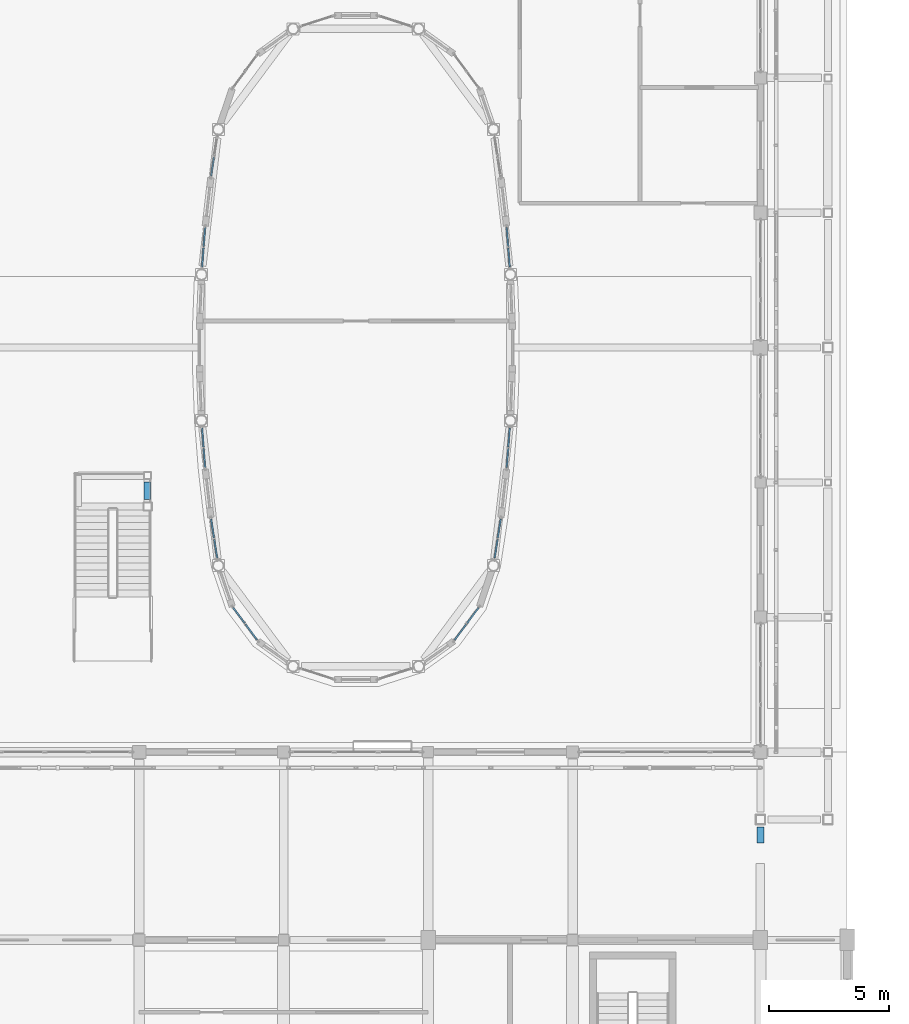
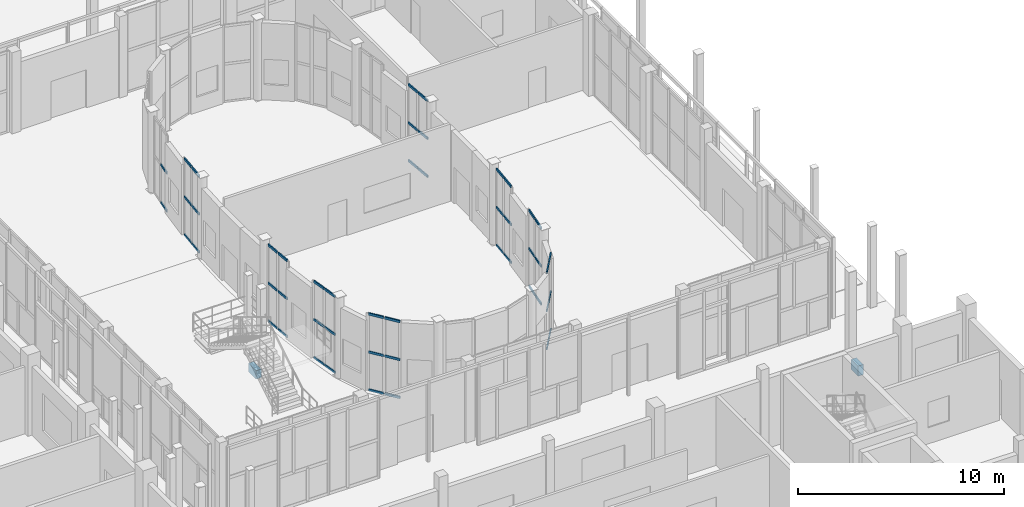
# One storey, part 53 of 91: 50 members, 2 beams, 9 elements without a shape of their own.
"""IFC4 building model written with IfcOpenShell, lengths in metres."""

from ifc_helpers import new_model, si_unit, direction, frame, origin, origin_2d, place, context, subcontext, project, spatial, rectangle, hollow_rectangle, extrude, material, layer, layer_set, material_profile, profile_set, type_object, element, aggregate, save


model = new_model("IFC4")

# Units and contexts
model_context = context("Model", 3, precision=1e-05, world=origin(), true_north=direction((0.0, 1.0)))
body_context = subcontext(model_context, "Body", "Model", "MODEL_VIEW")
ifc_project = project(units=[si_unit("LENGTHUNIT", "METRE"), si_unit("AREAUNIT", "SQUARE_METRE"), si_unit("VOLUMEUNIT", "CUBIC_METRE"), si_unit("PLANEANGLEUNIT", "RADIAN"), si_unit("MASSUNIT", "GRAM", prefix="KILO")], contexts=[model_context])

# Site, building, storey
site_placement = place(None, origin())
site = spatial("IfcSite", under=ifc_project, at=site_placement, CompositionType="ELEMENT")
building_placement = place(site_placement, origin())
building = spatial("IfcBuilding", under=site, at=building_placement, Name="Vinh Khe Railworks Police Headquarters", CompositionType="ELEMENT")
storey_placement = place(building_placement, origin())
storey = spatial("IfcBuildingStorey", under=building, at=storey_placement, Name="L00", CompositionType="ELEMENT", Elevation=0.0)

# Beams
ifc_material_1 = material(Name="Concrete C35/45 (B35)", Category="concrete")
ifc_material_profile_1 = material_profile(ifc_material_1, rectangle(XDim=0.300048828125, YDim=0.5, at=origin_2d()), Name="RC 300x500")
ifc_profile_set_1 = profile_set([ifc_material_profile_1], Name="Concrete C35/45 (B35)")
beam_type_1 = type_object("IfcBeamType", Name="RC Girder RC 300x500", PredefinedType="BEAM", material=ifc_profile_set_1)
beam_1_placement = place(storey_placement, frame((34.550048828125, 35.679931640625, -0.530029296875), z_axis=(0.0, 1.0, 0.0), x_axis=(-1.0, 0.0, 0.0)))
element("IfcBeam", 1, at=beam_1_placement, inside=storey, type_object=beam_type_1, Name="Girder BM-L00-NS-RB-10-0294", PredefinedType="BEAM", context=body_context, shape_type="SweptSolid", body=[
    extrude(rectangle(XDim=0.300048828125, YDim=0.5, at=origin_2d()), origin(), (0.0, 0.0, 1.0), 0.7451171875),
])
ifc_material_profile_2 = material_profile(ifc_material_1, rectangle(XDim=0.300048828125, YDim=0.60009765625, at=origin_2d()), Name="RC 300x600")
ifc_profile_set_2 = profile_set([ifc_material_profile_2], Name="Concrete C35/45 (B35)")
beam_type_2 = type_object("IfcBeamType", Name="RC Girder RC 300x600", PredefinedType="BEAM", material=ifc_profile_set_2)
beam_2_placement = place(storey_placement, frame((60.0, 21.429931640625, -0.580078125), z_axis=(0.0, 1.0, 0.0), x_axis=(-1.0, 0.0, 0.0)))
element("IfcBeam", 2, at=beam_2_placement, inside=storey, type_object=beam_type_2, Name="Girder BM-L00-NS-RB-09-0320", PredefinedType="BEAM", context=body_context, shape_type="SweptSolid", body=[
    extrude(rectangle(XDim=0.300048828125, YDim=0.60009765625, at=origin_2d()), origin(), (0.0, 0.0, 1.0), 0.6650390625),
])

# Curtain wall, members
ifc_material_2 = material(Name="Anodised aluminium and acoustic laminated glass", Category="aluminium")
ifc_layer = layer(ifc_material_2, 0.159912109375)
ifc_layer_set = layer_set([ifc_layer], Name="Anodised aluminium and acoustic laminated glass")
curtain_wall_type = type_object("IfcCurtainWallType", Name="CW-DRUM-CHORD", PredefinedType="USERDEFINED", material=ifc_layer_set)
curtain_wall_1_placement = place(storey_placement, origin())
curtain_wall_1 = element("IfcCurtainWall", 3, at=curtain_wall_1_placement, inside=storey, type_object=curtain_wall_type, Name="Elliptical Command Drum Glazing L00 Chord 1", ObjectType="DRUM FACADE GLAZING", PredefinedType="USERDEFINED")
ifc_material_3 = material(Name="Anodised aluminium 6063-T6", Category="aluminium")
ifc_material_profile_3 = material_profile(ifc_material_3, hollow_rectangle(XDim=0.06494140625, YDim=0.139892578125, WallThickness=0.00390625, at=origin_2d()), Name="CW-T 65x140x4")
ifc_profile_set_3 = profile_set([ifc_material_profile_3], Name="Anodised aluminium 6063-T6")
member_type = type_object("IfcMemberType", Name="TRAN-CWT-02", PredefinedType="USERDEFINED", material=ifc_profile_set_3)
member_1_placement = place(storey_placement, frame((48.961181640625, 33.25390625, 0.032470703125), z_axis=(0.153405021889, 0.988163397045, 0.0), x_axis=(-0.988163397045, 0.153405021889, 0.0)))
member_1 = element("IfcMember", 4, at=member_1_placement, type_object=member_type, Name="CW-02 transom 1.1", ObjectType="TRANSOM", PredefinedType="USERDEFINED", context=body_context, shape_type="SweptSolid", body=[
    extrude(hollow_rectangle(XDim=0.06494140625, YDim=0.139892578125, WallThickness=0.00390625, at=origin_2d()), origin(), (0.0, 0.0, 1.0), 0.789306640625),
])
member_2_placement = place(storey_placement, frame((48.961181640625, 33.25390625, 2.27490234375), z_axis=(0.153405021889, 0.988163397045, 0.0), x_axis=(-0.988163397045, 0.153405021889, 0.0)))
member_2 = element("IfcMember", 5, at=member_2_placement, type_object=member_type, Name="CW-02 transom 1.2", ObjectType="TRANSOM", PredefinedType="USERDEFINED", context=body_context, shape_type="SweptSolid", body=[
    extrude(hollow_rectangle(XDim=0.06494140625, YDim=0.139892578125, WallThickness=0.00390625, at=origin_2d()), origin(), (0.0, 0.0, 1.0), 0.789306640625),
])
member_3_placement = place(storey_placement, frame((48.961181640625, 33.25390625, 4.517578125), z_axis=(0.153405021889, 0.988163397045, 0.0), x_axis=(-0.988163397045, 0.153405021889, 0.0)))
member_3 = element("IfcMember", 6, at=member_3_placement, type_object=member_type, Name="CW-02 transom 1.3", ObjectType="TRANSOM", PredefinedType="USERDEFINED", context=body_context, shape_type="SweptSolid", body=[
    extrude(hollow_rectangle(XDim=0.06494140625, YDim=0.139892578125, WallThickness=0.00390625, at=origin_2d()), origin(), (0.0, 0.0, 1.0), 0.789306640625),
])
member_4_placement = place(storey_placement, frame((49.09228515625, 34.09814453125, 0.032470703125), z_axis=(0.153660048456, 0.988123772363, 0.0), x_axis=(-0.988123772363, 0.153660048456, 0.0)))
member_4 = element("IfcMember", 7, at=member_4_placement, type_object=member_type, Name="CW-02 transom 2.1", ObjectType="TRANSOM", PredefinedType="USERDEFINED", context=body_context, shape_type="SweptSolid", body=[
    extrude(hollow_rectangle(XDim=0.06494140625, YDim=0.139892578125, WallThickness=0.00390625, at=origin_2d()), origin(), (0.0, 0.0, 1.0), 0.78955078125),
])
member_5_placement = place(storey_placement, frame((49.09228515625, 34.09814453125, 2.27490234375), z_axis=(0.153660048456, 0.988123772363, 0.0), x_axis=(-0.988123772363, 0.153660048456, 0.0)))
member_5 = element("IfcMember", 8, at=member_5_placement, type_object=member_type, Name="CW-02 transom 2.2", ObjectType="TRANSOM", PredefinedType="USERDEFINED", context=body_context, shape_type="SweptSolid", body=[
    extrude(hollow_rectangle(XDim=0.06494140625, YDim=0.139892578125, WallThickness=0.00390625, at=origin_2d()), origin(), (0.0, 0.0, 1.0), 0.78955078125),
])
member_6_placement = place(storey_placement, frame((49.09228515625, 34.09814453125, 4.517578125), z_axis=(0.153660048456, 0.988123772363, 0.0), x_axis=(-0.988123772363, 0.153660048456, 0.0)))
member_6 = element("IfcMember", 9, at=member_6_placement, type_object=member_type, Name="CW-02 transom 2.3", ObjectType="TRANSOM", PredefinedType="USERDEFINED", context=body_context, shape_type="SweptSolid", body=[
    extrude(hollow_rectangle(XDim=0.06494140625, YDim=0.139892578125, WallThickness=0.00390625, at=origin_2d()), origin(), (0.0, 0.0, 1.0), 0.78955078125),
])
aggregate(curtain_wall_1, [member_1, member_2, member_3, member_4, member_5, member_6])

curtain_wall_2_placement = place(storey_placement, origin())
curtain_wall_2 = element("IfcCurtainWall", 10, at=curtain_wall_2_placement, inside=storey, type_object=curtain_wall_type, Name="Elliptical Command Drum Glazing L00 Chord 3", ObjectType="DRUM FACADE GLAZING", PredefinedType="USERDEFINED")
member_7_placement = place(storey_placement, frame((49.461669921875, 37.016357421875, 0.032470703125), z_axis=(0.077003928831, 0.997030789366, 0.0), x_axis=(-0.997030789366, 0.077003928831, 0.0)))
member_7 = element("IfcMember", 11, at=member_7_placement, type_object=member_type, Name="CW-02 transom 1.1", ObjectType="TRANSOM", PredefinedType="USERDEFINED", context=body_context, shape_type="SweptSolid", body=[
    extrude(hollow_rectangle(XDim=0.06494140625, YDim=0.139892578125, WallThickness=0.00390625, at=origin_2d()), origin(), (0.0, 0.0, 1.0), 0.78955078125),
])
member_8_placement = place(storey_placement, frame((49.461669921875, 37.016357421875, 2.27490234375), z_axis=(0.077003928831, 0.997030789366, 0.0), x_axis=(-0.997030789366, 0.077003928831, 0.0)))
member_8 = element("IfcMember", 12, at=member_8_placement, type_object=member_type, Name="CW-02 transom 1.2", ObjectType="TRANSOM", PredefinedType="USERDEFINED", context=body_context, shape_type="SweptSolid", body=[
    extrude(hollow_rectangle(XDim=0.06494140625, YDim=0.139892578125, WallThickness=0.00390625, at=origin_2d()), origin(), (0.0, 0.0, 1.0), 0.78955078125),
])
member_9_placement = place(storey_placement, frame((49.461669921875, 37.016357421875, 4.517578125), z_axis=(0.077003928831, 0.997030789366, 0.0), x_axis=(-0.997030789366, 0.077003928831, 0.0)))
member_9 = element("IfcMember", 13, at=member_9_placement, type_object=member_type, Name="CW-02 transom 1.3", ObjectType="TRANSOM", PredefinedType="USERDEFINED", context=body_context, shape_type="SweptSolid", body=[
    extrude(hollow_rectangle(XDim=0.06494140625, YDim=0.139892578125, WallThickness=0.00390625, at=origin_2d()), origin(), (0.0, 0.0, 1.0), 0.78955078125),
])
member_10_placement = place(storey_placement, frame((49.527587890625, 37.8681640625, 0.032470703125), z_axis=(0.076696498885, 0.997054485502, 0.0), x_axis=(-0.997054485502, 0.076696498885, 0.0)))
member_10 = element("IfcMember", 14, at=member_10_placement, type_object=member_type, Name="CW-02 transom 2.1", ObjectType="TRANSOM", PredefinedType="USERDEFINED", context=body_context, shape_type="SweptSolid", body=[
    extrude(hollow_rectangle(XDim=0.06494140625, YDim=0.139892578125, WallThickness=0.00390625, at=origin_2d()), origin(), (0.0, 0.0, 1.0), 0.78955078125),
])
member_11_placement = place(storey_placement, frame((49.527587890625, 37.8681640625, 2.27490234375), z_axis=(0.076696498885, 0.997054485502, 0.0), x_axis=(-0.997054485502, 0.076696498885, 0.0)))
member_11 = element("IfcMember", 15, at=member_11_placement, type_object=member_type, Name="CW-02 transom 2.2", ObjectType="TRANSOM", PredefinedType="USERDEFINED", context=body_context, shape_type="SweptSolid", body=[
    extrude(hollow_rectangle(XDim=0.06494140625, YDim=0.139892578125, WallThickness=0.00390625, at=origin_2d()), origin(), (0.0, 0.0, 1.0), 0.78955078125),
])
member_12_placement = place(storey_placement, frame((49.527587890625, 37.8681640625, 4.517578125), z_axis=(0.076696498885, 0.997054485502, 0.0), x_axis=(-0.997054485502, 0.076696498885, 0.0)))
member_12 = element("IfcMember", 16, at=member_12_placement, type_object=member_type, Name="CW-02 transom 2.3", ObjectType="TRANSOM", PredefinedType="USERDEFINED", context=body_context, shape_type="SweptSolid", body=[
    extrude(hollow_rectangle(XDim=0.06494140625, YDim=0.139892578125, WallThickness=0.00390625, at=origin_2d()), origin(), (0.0, 0.0, 1.0), 0.78955078125),
])
aggregate(curtain_wall_2, [member_7, member_8, member_9, member_10, member_11, member_12])

curtain_wall_3_placement = place(storey_placement, origin())
curtain_wall_3 = element("IfcCurtainWall", 17, at=curtain_wall_3_placement, inside=storey, type_object=curtain_wall_type, Name="Elliptical Command Drum Glazing L00 Chord 7", ObjectType="DRUM FACADE GLAZING", PredefinedType="USERDEFINED")
member_13_placement = place(storey_placement, frame((49.588134765625, 45.3447265625, 0.032470703125), z_axis=(-0.076696498885, 0.997054485502, 0.0), x_axis=(-0.997054485502, -0.076696498885, 0.0)))
member_13 = element("IfcMember", 18, at=member_13_placement, type_object=member_type, Name="CW-02 transom 1.1", ObjectType="TRANSOM", PredefinedType="USERDEFINED", context=body_context, shape_type="SweptSolid", body=[
    extrude(hollow_rectangle(XDim=0.06494140625, YDim=0.139892578125, WallThickness=0.00390625, at=origin_2d()), origin(), (0.0, 0.0, 1.0), 0.78955078125),
])
member_14_placement = place(storey_placement, frame((49.588134765625, 45.3447265625, 2.27490234375), z_axis=(-0.076696498885, 0.997054485502, 0.0), x_axis=(-0.997054485502, -0.076696498885, 0.0)))
member_14 = element("IfcMember", 19, at=member_14_placement, type_object=member_type, Name="CW-02 transom 1.2", ObjectType="TRANSOM", PredefinedType="USERDEFINED", context=body_context, shape_type="SweptSolid", body=[
    extrude(hollow_rectangle(XDim=0.06494140625, YDim=0.139892578125, WallThickness=0.00390625, at=origin_2d()), origin(), (0.0, 0.0, 1.0), 0.78955078125),
])
member_15_placement = place(storey_placement, frame((49.588134765625, 45.3447265625, 4.517578125), z_axis=(-0.076696498885, 0.997054485502, 0.0), x_axis=(-0.997054485502, -0.076696498885, 0.0)))
member_15 = element("IfcMember", 20, at=member_15_placement, type_object=member_type, Name="CW-02 transom 1.3", ObjectType="TRANSOM", PredefinedType="USERDEFINED", context=body_context, shape_type="SweptSolid", body=[
    extrude(hollow_rectangle(XDim=0.06494140625, YDim=0.139892578125, WallThickness=0.00390625, at=origin_2d()), origin(), (0.0, 0.0, 1.0), 0.78955078125),
])
member_16_placement = place(storey_placement, frame((49.5224609375, 46.196533203125, 0.032470703125), z_axis=(-0.077003928831, 0.997030789366, 0.0), x_axis=(-0.997030789366, -0.077003928831, 0.0)))
member_16 = element("IfcMember", 21, at=member_16_placement, type_object=member_type, Name="CW-02 transom 2.1", ObjectType="TRANSOM", PredefinedType="USERDEFINED", context=body_context, shape_type="SweptSolid", body=[
    extrude(hollow_rectangle(XDim=0.06494140625, YDim=0.139892578125, WallThickness=0.00390625, at=origin_2d()), origin(), (0.0, 0.0, 1.0), 0.78955078125),
])
member_17_placement = place(storey_placement, frame((49.5224609375, 46.196533203125, 2.27490234375), z_axis=(-0.077003928831, 0.997030789366, 0.0), x_axis=(-0.997030789366, -0.077003928831, 0.0)))
member_17 = element("IfcMember", 22, at=member_17_placement, type_object=member_type, Name="CW-02 transom 2.2", ObjectType="TRANSOM", PredefinedType="USERDEFINED", context=body_context, shape_type="SweptSolid", body=[
    extrude(hollow_rectangle(XDim=0.06494140625, YDim=0.139892578125, WallThickness=0.00390625, at=origin_2d()), origin(), (0.0, 0.0, 1.0), 0.78955078125),
])
member_18_placement = place(storey_placement, frame((49.5224609375, 46.196533203125, 4.517578125), z_axis=(-0.077003928831, 0.997030789366, 0.0), x_axis=(-0.997030789366, -0.077003928831, 0.0)))
member_18 = element("IfcMember", 23, at=member_18_placement, type_object=member_type, Name="CW-02 transom 2.3", ObjectType="TRANSOM", PredefinedType="USERDEFINED", context=body_context, shape_type="SweptSolid", body=[
    extrude(hollow_rectangle(XDim=0.06494140625, YDim=0.139892578125, WallThickness=0.00390625, at=origin_2d()), origin(), (0.0, 0.0, 1.0), 0.78955078125),
])
aggregate(curtain_wall_3, [member_13, member_14, member_15, member_16, member_17, member_18])

curtain_wall_4_placement = place(storey_placement, origin())
curtain_wall_4 = element("IfcCurtainWall", 24, at=curtain_wall_4_placement, inside=storey, type_object=curtain_wall_type, Name="Elliptical Command Drum Glazing L00 Chord 19", ObjectType="DRUM FACADE GLAZING", PredefinedType="USERDEFINED")
member_19_placement = place(storey_placement, frame((37.3076171875, 49.90185546875, 0.032470703125), z_axis=(-0.15335815187, -0.988170672129, 0.0), x_axis=(0.988170672129, -0.15335815187, 0.0)))
member_19 = element("IfcMember", 25, at=member_19_placement, type_object=member_type, Name="CW-02 transom 2.1", ObjectType="TRANSOM", PredefinedType="USERDEFINED", context=body_context, shape_type="SweptSolid", body=[
    extrude(hollow_rectangle(XDim=0.06494140625, YDim=0.139892578125, WallThickness=0.00390625, at=origin_2d()), origin(), (0.0, 0.0, 1.0), 0.78955078125),
])
member_20_placement = place(storey_placement, frame((37.3076171875, 49.90185546875, 2.27490234375), z_axis=(-0.15335815187, -0.988170672129, 0.0), x_axis=(0.988170672129, -0.15335815187, 0.0)))
member_20 = element("IfcMember", 26, at=member_20_placement, type_object=member_type, Name="CW-02 transom 2.2", ObjectType="TRANSOM", PredefinedType="USERDEFINED", context=body_context, shape_type="SweptSolid", body=[
    extrude(hollow_rectangle(XDim=0.06494140625, YDim=0.139892578125, WallThickness=0.00390625, at=origin_2d()), origin(), (0.0, 0.0, 1.0), 0.78955078125),
])
aggregate(curtain_wall_4, [member_19, member_20])

curtain_wall_5_placement = place(storey_placement, origin())
curtain_wall_5 = element("IfcCurtainWall", 27, at=curtain_wall_5_placement, inside=storey, type_object=curtain_wall_type, Name="Elliptical Command Drum Glazing L00 Chord 21", ObjectType="DRUM FACADE GLAZING", PredefinedType="USERDEFINED")
member_21_placement = place(storey_placement, frame((36.938232421875, 46.983642578125, 0.032470703125), z_axis=(-0.077003928831, -0.997030789366, 0.0), x_axis=(0.997030789366, -0.077003928831, 0.0)))
member_21 = element("IfcMember", 28, at=member_21_placement, type_object=member_type, Name="CW-02 transom 1.1", ObjectType="TRANSOM", PredefinedType="USERDEFINED", context=body_context, shape_type="SweptSolid", body=[
    extrude(hollow_rectangle(XDim=0.06494140625, YDim=0.139892578125, WallThickness=0.00390625, at=origin_2d()), origin(), (0.0, 0.0, 1.0), 0.78955078125),
])
member_22_placement = place(storey_placement, frame((36.938232421875, 46.983642578125, 2.27490234375), z_axis=(-0.077003928831, -0.997030789366, 0.0), x_axis=(0.997030789366, -0.077003928831, 0.0)))
member_22 = element("IfcMember", 29, at=member_22_placement, type_object=member_type, Name="CW-02 transom 1.2", ObjectType="TRANSOM", PredefinedType="USERDEFINED", context=body_context, shape_type="SweptSolid", body=[
    extrude(hollow_rectangle(XDim=0.06494140625, YDim=0.139892578125, WallThickness=0.00390625, at=origin_2d()), origin(), (0.0, 0.0, 1.0), 0.78955078125),
])
member_23_placement = place(storey_placement, frame((36.938232421875, 46.983642578125, 4.517578125), z_axis=(-0.077003928831, -0.997030789366, 0.0), x_axis=(0.997030789366, -0.077003928831, 0.0)))
member_23 = element("IfcMember", 30, at=member_23_placement, type_object=member_type, Name="CW-02 transom 1.3", ObjectType="TRANSOM", PredefinedType="USERDEFINED", context=body_context, shape_type="SweptSolid", body=[
    extrude(hollow_rectangle(XDim=0.06494140625, YDim=0.139892578125, WallThickness=0.00390625, at=origin_2d()), origin(), (0.0, 0.0, 1.0), 0.78955078125),
])
member_24_placement = place(storey_placement, frame((36.87255859375, 46.1318359375, 0.032470703125), z_axis=(-0.077003928831, -0.997030789366, 0.0), x_axis=(0.997030789366, -0.077003928831, 0.0)))
member_24 = element("IfcMember", 31, at=member_24_placement, type_object=member_type, Name="CW-02 transom 2.1", ObjectType="TRANSOM", PredefinedType="USERDEFINED", context=body_context, shape_type="SweptSolid", body=[
    extrude(hollow_rectangle(XDim=0.06494140625, YDim=0.139892578125, WallThickness=0.00390625, at=origin_2d()), origin(), (0.0, 0.0, 1.0), 0.78955078125),
])
member_25_placement = place(storey_placement, frame((36.87255859375, 46.1318359375, 2.27490234375), z_axis=(-0.077003928831, -0.997030789366, 0.0), x_axis=(0.997030789366, -0.077003928831, 0.0)))
member_25 = element("IfcMember", 32, at=member_25_placement, type_object=member_type, Name="CW-02 transom 2.2", ObjectType="TRANSOM", PredefinedType="USERDEFINED", context=body_context, shape_type="SweptSolid", body=[
    extrude(hollow_rectangle(XDim=0.06494140625, YDim=0.139892578125, WallThickness=0.00390625, at=origin_2d()), origin(), (0.0, 0.0, 1.0), 0.78955078125),
])
member_26_placement = place(storey_placement, frame((36.87255859375, 46.1318359375, 4.517578125), z_axis=(-0.077003928831, -0.997030789366, 0.0), x_axis=(0.997030789366, -0.077003928831, 0.0)))
member_26 = element("IfcMember", 33, at=member_26_placement, type_object=member_type, Name="CW-02 transom 2.3", ObjectType="TRANSOM", PredefinedType="USERDEFINED", context=body_context, shape_type="SweptSolid", body=[
    extrude(hollow_rectangle(XDim=0.06494140625, YDim=0.139892578125, WallThickness=0.00390625, at=origin_2d()), origin(), (0.0, 0.0, 1.0), 0.78955078125),
])
aggregate(curtain_wall_5, [member_21, member_22, member_23, member_24, member_25, member_26])

curtain_wall_6_placement = place(storey_placement, origin())
curtain_wall_6 = element("IfcCurtainWall", 34, at=curtain_wall_6_placement, inside=storey, type_object=curtain_wall_type, Name="Elliptical Command Drum Glazing L00 Chord 25", ObjectType="DRUM FACADE GLAZING", PredefinedType="USERDEFINED")
member_27_placement = place(storey_placement, frame((36.811767578125, 38.6552734375, 0.032470703125), z_axis=(0.077003928831, -0.997030789366, 0.0), x_axis=(0.997030789366, 0.077003928831, 0.0)))
member_27 = element("IfcMember", 35, at=member_27_placement, type_object=member_type, Name="CW-02 transom 1.1", ObjectType="TRANSOM", PredefinedType="USERDEFINED", context=body_context, shape_type="SweptSolid", body=[
    extrude(hollow_rectangle(XDim=0.06494140625, YDim=0.139892578125, WallThickness=0.00390625, at=origin_2d()), origin(), (0.0, 0.0, 1.0), 0.78955078125),
])
member_28_placement = place(storey_placement, frame((36.811767578125, 38.6552734375, 2.27490234375), z_axis=(0.077003928831, -0.997030789366, 0.0), x_axis=(0.997030789366, 0.077003928831, 0.0)))
member_28 = element("IfcMember", 36, at=member_28_placement, type_object=member_type, Name="CW-02 transom 1.2", ObjectType="TRANSOM", PredefinedType="USERDEFINED", context=body_context, shape_type="SweptSolid", body=[
    extrude(hollow_rectangle(XDim=0.06494140625, YDim=0.139892578125, WallThickness=0.00390625, at=origin_2d()), origin(), (0.0, 0.0, 1.0), 0.78955078125),
])
member_29_placement = place(storey_placement, frame((36.811767578125, 38.6552734375, 4.517578125), z_axis=(0.077003928831, -0.997030789366, 0.0), x_axis=(0.997030789366, 0.077003928831, 0.0)))
member_29 = element("IfcMember", 37, at=member_29_placement, type_object=member_type, Name="CW-02 transom 1.3", ObjectType="TRANSOM", PredefinedType="USERDEFINED", context=body_context, shape_type="SweptSolid", body=[
    extrude(hollow_rectangle(XDim=0.06494140625, YDim=0.139892578125, WallThickness=0.00390625, at=origin_2d()), origin(), (0.0, 0.0, 1.0), 0.78955078125),
])
member_30_placement = place(storey_placement, frame((36.87744140625, 37.803466796875, 0.032470703125), z_axis=(0.077003928831, -0.997030789366, 0.0), x_axis=(0.997030789366, 0.077003928831, 0.0)))
member_30 = element("IfcMember", 38, at=member_30_placement, type_object=member_type, Name="CW-02 transom 2.1", ObjectType="TRANSOM", PredefinedType="USERDEFINED", context=body_context, shape_type="SweptSolid", body=[
    extrude(hollow_rectangle(XDim=0.06494140625, YDim=0.139892578125, WallThickness=0.00390625, at=origin_2d()), origin(), (0.0, 0.0, 1.0), 0.78955078125),
])
member_31_placement = place(storey_placement, frame((36.87744140625, 37.803466796875, 2.27490234375), z_axis=(0.077003928831, -0.997030789366, 0.0), x_axis=(0.997030789366, 0.077003928831, 0.0)))
member_31 = element("IfcMember", 39, at=member_31_placement, type_object=member_type, Name="CW-02 transom 2.2", ObjectType="TRANSOM", PredefinedType="USERDEFINED", context=body_context, shape_type="SweptSolid", body=[
    extrude(hollow_rectangle(XDim=0.06494140625, YDim=0.139892578125, WallThickness=0.00390625, at=origin_2d()), origin(), (0.0, 0.0, 1.0), 0.78955078125),
])
member_32_placement = place(storey_placement, frame((36.87744140625, 37.803466796875, 4.517578125), z_axis=(0.077003928831, -0.997030789366, 0.0), x_axis=(0.997030789366, 0.077003928831, 0.0)))
member_32 = element("IfcMember", 40, at=member_32_placement, type_object=member_type, Name="CW-02 transom 2.3", ObjectType="TRANSOM", PredefinedType="USERDEFINED", context=body_context, shape_type="SweptSolid", body=[
    extrude(hollow_rectangle(XDim=0.06494140625, YDim=0.139892578125, WallThickness=0.00390625, at=origin_2d()), origin(), (0.0, 0.0, 1.0), 0.78955078125),
])
aggregate(curtain_wall_6, [member_27, member_28, member_29, member_30, member_31, member_32])

curtain_wall_7_placement = place(storey_placement, origin())
curtain_wall_7 = element("IfcCurtainWall", 41, at=curtain_wall_7_placement, inside=storey, type_object=curtain_wall_type, Name="Elliptical Command Drum Glazing L00 Chord 27", ObjectType="DRUM FACADE GLAZING", PredefinedType="USERDEFINED")
member_33_placement = place(storey_placement, frame((37.1865234375, 34.87841796875, 0.032470703125), z_axis=(0.15335815187, -0.988170672129, 0.0), x_axis=(0.988170672129, 0.15335815187, 0.0)))
member_33 = element("IfcMember", 42, at=member_33_placement, type_object=member_type, Name="CW-02 transom 1.1", ObjectType="TRANSOM", PredefinedType="USERDEFINED", context=body_context, shape_type="SweptSolid", body=[
    extrude(hollow_rectangle(XDim=0.06494140625, YDim=0.139892578125, WallThickness=0.00390625, at=origin_2d()), origin(), (0.0, 0.0, 1.0), 0.78955078125),
])
member_34_placement = place(storey_placement, frame((37.1865234375, 34.87841796875, 2.27490234375), z_axis=(0.15335815187, -0.988170672129, 0.0), x_axis=(0.988170672129, 0.15335815187, 0.0)))
member_34 = element("IfcMember", 43, at=member_34_placement, type_object=member_type, Name="CW-02 transom 1.2", ObjectType="TRANSOM", PredefinedType="USERDEFINED", context=body_context, shape_type="SweptSolid", body=[
    extrude(hollow_rectangle(XDim=0.06494140625, YDim=0.139892578125, WallThickness=0.00390625, at=origin_2d()), origin(), (0.0, 0.0, 1.0), 0.78955078125),
])
member_35_placement = place(storey_placement, frame((37.1865234375, 34.87841796875, 4.517578125), z_axis=(0.15335815187, -0.988170672129, 0.0), x_axis=(0.988170672129, 0.15335815187, 0.0)))
member_35 = element("IfcMember", 44, at=member_35_placement, type_object=member_type, Name="CW-02 transom 1.3", ObjectType="TRANSOM", PredefinedType="USERDEFINED", context=body_context, shape_type="SweptSolid", body=[
    extrude(hollow_rectangle(XDim=0.06494140625, YDim=0.139892578125, WallThickness=0.00390625, at=origin_2d()), origin(), (0.0, 0.0, 1.0), 0.78955078125),
])
member_36_placement = place(storey_placement, frame((37.317626953125, 34.033935546875, 0.032470703125), z_axis=(0.153405021889, -0.988163397045, 0.0), x_axis=(0.988163397045, 0.153405021889, 0.0)))
member_36 = element("IfcMember", 45, at=member_36_placement, type_object=member_type, Name="CW-02 transom 2.1", ObjectType="TRANSOM", PredefinedType="USERDEFINED", context=body_context, shape_type="SweptSolid", body=[
    extrude(hollow_rectangle(XDim=0.06494140625, YDim=0.139892578125, WallThickness=0.00390625, at=origin_2d()), origin(), (0.0, 0.0, 1.0), 0.789306640625),
])
member_37_placement = place(storey_placement, frame((37.317626953125, 34.033935546875, 2.27490234375), z_axis=(0.153405021889, -0.988163397045, 0.0), x_axis=(0.988163397045, 0.153405021889, 0.0)))
member_37 = element("IfcMember", 46, at=member_37_placement, type_object=member_type, Name="CW-02 transom 2.2", ObjectType="TRANSOM", PredefinedType="USERDEFINED", context=body_context, shape_type="SweptSolid", body=[
    extrude(hollow_rectangle(XDim=0.06494140625, YDim=0.139892578125, WallThickness=0.00390625, at=origin_2d()), origin(), (0.0, 0.0, 1.0), 0.789306640625),
])
member_38_placement = place(storey_placement, frame((37.317626953125, 34.033935546875, 4.517578125), z_axis=(0.153405021889, -0.988163397045, 0.0), x_axis=(0.988163397045, 0.153405021889, 0.0)))
member_38 = element("IfcMember", 47, at=member_38_placement, type_object=member_type, Name="CW-02 transom 2.3", ObjectType="TRANSOM", PredefinedType="USERDEFINED", context=body_context, shape_type="SweptSolid", body=[
    extrude(hollow_rectangle(XDim=0.06494140625, YDim=0.139892578125, WallThickness=0.00390625, at=origin_2d()), origin(), (0.0, 0.0, 1.0), 0.789306640625),
])
aggregate(curtain_wall_7, [member_33, member_34, member_35, member_36, member_37, member_38])

curtain_wall_8_placement = place(storey_placement, origin())
curtain_wall_8 = element("IfcCurtainWall", 48, at=curtain_wall_8_placement, inside=storey, type_object=curtain_wall_type, Name="Elliptical Command Drum Glazing L00 Chord 29", ObjectType="DRUM FACADE GLAZING", PredefinedType="USERDEFINED")
member_39_placement = place(storey_placement, frame((38.104736328125, 31.194091796875, 0.032470703125), z_axis=(0.596475814623, -0.802631050091, 0.0), x_axis=(0.802631050091, 0.596475814623, 0.0)))
member_39 = element("IfcMember", 49, at=member_39_placement, type_object=member_type, Name="CW-02 transom 1.1", ObjectType="TRANSOM", PredefinedType="USERDEFINED", context=body_context, shape_type="SweptSolid", body=[
    extrude(hollow_rectangle(XDim=0.06494140625, YDim=0.139892578125, WallThickness=0.00390625, at=origin_2d()), origin(), (0.0, 0.0, 1.0), 0.79931640625),
])
member_40_placement = place(storey_placement, frame((38.104736328125, 31.194091796875, 2.27490234375), z_axis=(0.596475814623, -0.802631050091, 0.0), x_axis=(0.802631050091, 0.596475814623, 0.0)))
member_40 = element("IfcMember", 50, at=member_40_placement, type_object=member_type, Name="CW-02 transom 1.2", ObjectType="TRANSOM", PredefinedType="USERDEFINED", context=body_context, shape_type="SweptSolid", body=[
    extrude(hollow_rectangle(XDim=0.06494140625, YDim=0.139892578125, WallThickness=0.00390625, at=origin_2d()), origin(), (0.0, 0.0, 1.0), 0.79931640625),
])
member_41_placement = place(storey_placement, frame((38.104736328125, 31.194091796875, 4.517578125), z_axis=(0.596475814623, -0.802631050091, 0.0), x_axis=(0.802631050091, 0.596475814623, 0.0)))
member_41 = element("IfcMember", 51, at=member_41_placement, type_object=member_type, Name="CW-02 transom 1.3", ObjectType="TRANSOM", PredefinedType="USERDEFINED", context=body_context, shape_type="SweptSolid", body=[
    extrude(hollow_rectangle(XDim=0.06494140625, YDim=0.139892578125, WallThickness=0.00390625, at=origin_2d()), origin(), (0.0, 0.0, 1.0), 0.79931640625),
])
member_42_placement = place(storey_placement, frame((38.620361328125, 30.500244140625, 0.032470703125), z_axis=(0.596475814623, -0.802631050091, 0.0), x_axis=(0.802631050091, 0.596475814623, 0.0)))
member_42 = element("IfcMember", 52, at=member_42_placement, type_object=member_type, Name="CW-02 transom 2.1", ObjectType="TRANSOM", PredefinedType="USERDEFINED", context=body_context, shape_type="SweptSolid", body=[
    extrude(hollow_rectangle(XDim=0.06494140625, YDim=0.139892578125, WallThickness=0.00390625, at=origin_2d()), origin(), (0.0, 0.0, 1.0), 0.79931640625),
])
member_43_placement = place(storey_placement, frame((38.620361328125, 30.500244140625, 2.27490234375), z_axis=(0.596475814623, -0.802631050091, 0.0), x_axis=(0.802631050091, 0.596475814623, 0.0)))
member_43 = element("IfcMember", 53, at=member_43_placement, type_object=member_type, Name="CW-02 transom 2.2", ObjectType="TRANSOM", PredefinedType="USERDEFINED", context=body_context, shape_type="SweptSolid", body=[
    extrude(hollow_rectangle(XDim=0.06494140625, YDim=0.139892578125, WallThickness=0.00390625, at=origin_2d()), origin(), (0.0, 0.0, 1.0), 0.79931640625),
])
member_44_placement = place(storey_placement, frame((38.620361328125, 30.500244140625, 4.517578125), z_axis=(0.596475814623, -0.802631050091, 0.0), x_axis=(0.802631050091, 0.596475814623, 0.0)))
member_44 = element("IfcMember", 54, at=member_44_placement, type_object=member_type, Name="CW-02 transom 2.3", ObjectType="TRANSOM", PredefinedType="USERDEFINED", context=body_context, shape_type="SweptSolid", body=[
    extrude(hollow_rectangle(XDim=0.06494140625, YDim=0.139892578125, WallThickness=0.00390625, at=origin_2d()), origin(), (0.0, 0.0, 1.0), 0.79931640625),
])
aggregate(curtain_wall_8, [member_39, member_40, member_41, member_42, member_43, member_44])

curtain_wall_9_placement = place(storey_placement, origin())
curtain_wall_9 = element("IfcCurtainWall", 55, at=curtain_wall_9_placement, inside=storey, type_object=curtain_wall_type, Name="Elliptical Command Drum Glazing L00 Chord 35", ObjectType="DRUM FACADE GLAZING", PredefinedType="USERDEFINED")
member_45_placement = place(storey_placement, frame((47.302734375, 29.858642578125, 0.032470703125), z_axis=(0.596475814623, 0.802631050091, 0.0), x_axis=(-0.802631050091, 0.596475814623, 0.0)))
member_45 = element("IfcMember", 56, at=member_45_placement, type_object=member_type, Name="CW-02 transom 1.1", ObjectType="TRANSOM", PredefinedType="USERDEFINED", context=body_context, shape_type="SweptSolid", body=[
    extrude(hollow_rectangle(XDim=0.06494140625, YDim=0.139892578125, WallThickness=0.00390625, at=origin_2d()), origin(), (0.0, 0.0, 1.0), 0.79931640625),
])
member_46_placement = place(storey_placement, frame((47.302734375, 29.858642578125, 2.27490234375), z_axis=(0.596475814623, 0.802631050091, 0.0), x_axis=(-0.802631050091, 0.596475814623, 0.0)))
member_46 = element("IfcMember", 57, at=member_46_placement, type_object=member_type, Name="CW-02 transom 1.2", ObjectType="TRANSOM", PredefinedType="USERDEFINED", context=body_context, shape_type="SweptSolid", body=[
    extrude(hollow_rectangle(XDim=0.06494140625, YDim=0.139892578125, WallThickness=0.00390625, at=origin_2d()), origin(), (0.0, 0.0, 1.0), 0.79931640625),
])
member_47_placement = place(storey_placement, frame((47.302734375, 29.858642578125, 4.517578125), z_axis=(0.596475814623, 0.802631050091, 0.0), x_axis=(-0.802631050091, 0.596475814623, 0.0)))
member_47 = element("IfcMember", 58, at=member_47_placement, type_object=member_type, Name="CW-02 transom 1.3", ObjectType="TRANSOM", PredefinedType="USERDEFINED", context=body_context, shape_type="SweptSolid", body=[
    extrude(hollow_rectangle(XDim=0.06494140625, YDim=0.139892578125, WallThickness=0.00390625, at=origin_2d()), origin(), (0.0, 0.0, 1.0), 0.79931640625),
])
member_48_placement = place(storey_placement, frame((47.818359375, 30.552490234375, 0.032470703125), z_axis=(0.596672514384, 0.802484835108, 0.0), x_axis=(-0.802484835108, 0.596672514384, 0.0)))
member_48 = element("IfcMember", 59, at=member_48_placement, type_object=member_type, Name="CW-02 transom 2.1", ObjectType="TRANSOM", PredefinedType="USERDEFINED", context=body_context, shape_type="SweptSolid", body=[
    extrude(hollow_rectangle(XDim=0.06494140625, YDim=0.139892578125, WallThickness=0.00390625, at=origin_2d()), origin(), (0.0, 0.0, 1.0), 0.799560546875),
])
member_49_placement = place(storey_placement, frame((47.818359375, 30.552490234375, 2.27490234375), z_axis=(0.596672514384, 0.802484835108, 0.0), x_axis=(-0.802484835108, 0.596672514384, 0.0)))
member_49 = element("IfcMember", 60, at=member_49_placement, type_object=member_type, Name="CW-02 transom 2.2", ObjectType="TRANSOM", PredefinedType="USERDEFINED", context=body_context, shape_type="SweptSolid", body=[
    extrude(hollow_rectangle(XDim=0.06494140625, YDim=0.139892578125, WallThickness=0.00390625, at=origin_2d()), origin(), (0.0, 0.0, 1.0), 0.799560546875),
])
member_50_placement = place(storey_placement, frame((47.818359375, 30.552490234375, 4.517578125), z_axis=(0.596672514384, 0.802484835108, 0.0), x_axis=(-0.802484835108, 0.596672514384, 0.0)))
member_50 = element("IfcMember", 61, at=member_50_placement, type_object=member_type, Name="CW-02 transom 2.3", ObjectType="TRANSOM", PredefinedType="USERDEFINED", context=body_context, shape_type="SweptSolid", body=[
    extrude(hollow_rectangle(XDim=0.06494140625, YDim=0.139892578125, WallThickness=0.00390625, at=origin_2d()), origin(), (0.0, 0.0, 1.0), 0.799560546875),
])
aggregate(curtain_wall_9, [member_45, member_46, member_47, member_48, member_49, member_50])

save(model, "model.ifc")
